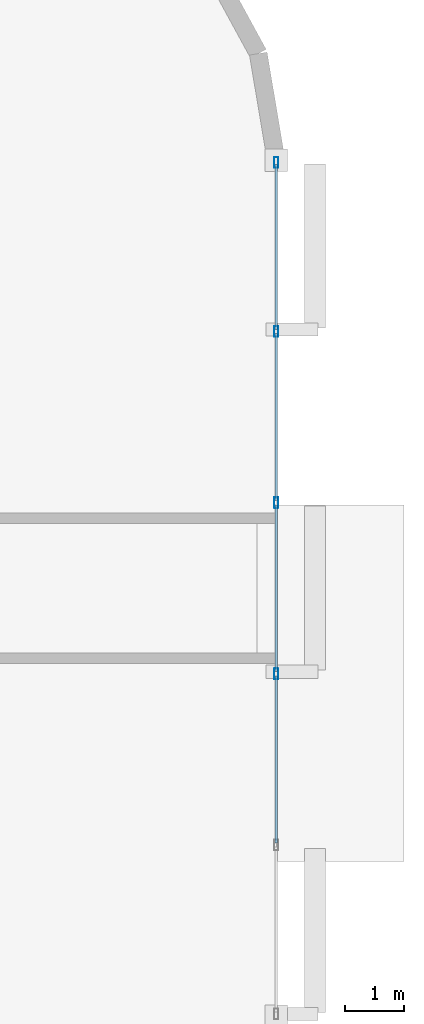
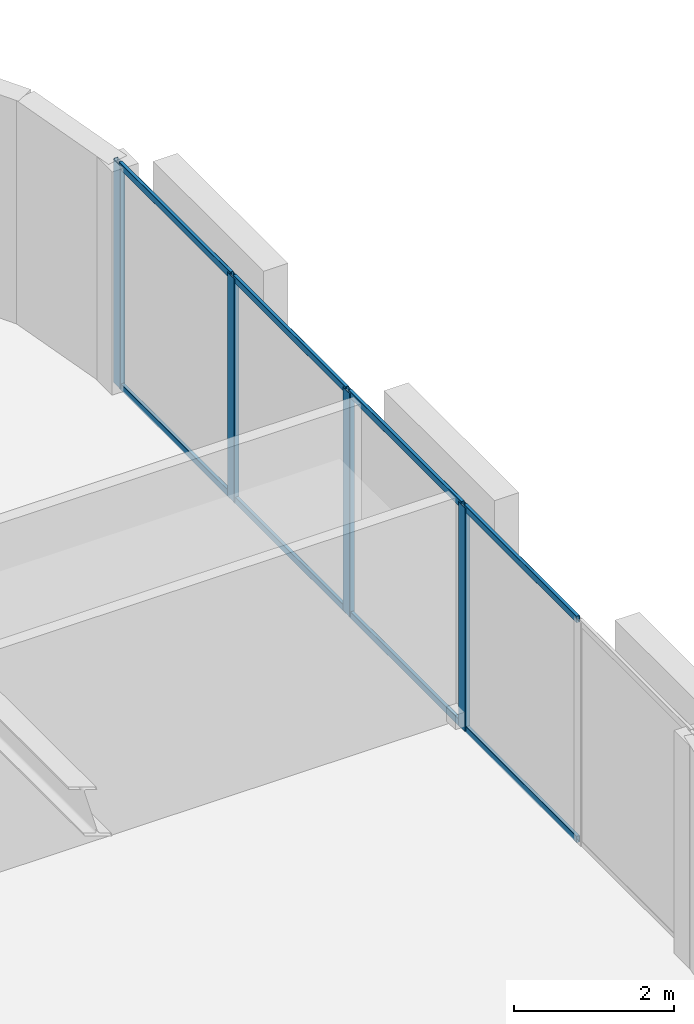
# One storey, part 6 of 15: 12 members, 1 element without a shape of its own.
"""IFC4 building model written with IfcOpenShell, lengths in metres."""

from ifc_helpers import new_model, si_unit, direction, frame, origin, origin_2d, place, context, subcontext, project, spatial, hollow_rectangle, extrude, material, layer, layer_set, material_profile, profile_set, type_object, element, aggregate, save


model = new_model("IFC4")

# Units and contexts
model_context = context("Model", 3, precision=1e-05, world=origin(), true_north=direction((0.0, 1.0)))
body_context = subcontext(model_context, "Body", "Model", "MODEL_VIEW")
ifc_project = project(units=[si_unit("LENGTHUNIT", "METRE"), si_unit("AREAUNIT", "SQUARE_METRE"), si_unit("VOLUMEUNIT", "CUBIC_METRE"), si_unit("PLANEANGLEUNIT", "RADIAN"), si_unit("MASSUNIT", "GRAM", prefix="KILO")], contexts=[model_context])

# Site, building, storey
site_placement = place(None, origin())
site = spatial("IfcSite", under=ifc_project, at=site_placement, CompositionType="ELEMENT")
building_placement = place(site_placement, origin())
building = spatial("IfcBuilding", under=site, at=building_placement, Name="An Khanh Terracotta Commons", CompositionType="ELEMENT")
storey_placement = place(building_placement, frame((0.0, 0.0, 176.199951171875)))
storey = spatial("IfcBuildingStorey", under=building, at=storey_placement, Name="L46", CompositionType="ELEMENT", Elevation=176.199951171875)

# Curtain wall, members
ifc_material = material(Name="Anodised Aluminium 6063-T6", Category="aluminium")
ifc_layer = layer(ifc_material, 0.2099609375, Name="Anodised Aluminium 6063-T6")
ifc_layer_set = layer_set([ifc_layer], Name="Anodised Aluminium 6063-T6")
curtain_wall_type = type_object("IfcCurtainWallType", Name="CW-SYS-03", PredefinedType="USERDEFINED", material=ifc_layer_set)
curtain_wall_placement = place(storey_placement, origin())
curtain_wall = element("IfcCurtainWall", 1, at=curtain_wall_placement, inside=storey, type_object=curtain_wall_type, Name="L46 CW-03 Unitised Curtain Wall CW-L46-12", ObjectType="UNITISED CURTAIN WALL", PredefinedType="USERDEFINED")
ifc_material_profile_1 = material_profile(ifc_material, hollow_rectangle(XDim=0.070068359375, YDim=0.179931640625, WallThickness=0.00390625, InnerFilletRadius=0.00390625, OuterFilletRadius=0.008056640625, at=origin_2d()), Name="RHS180x70x4")
ifc_profile_set_1 = profile_set([ifc_material_profile_1], Name="Anodised Aluminium 6063-T6")
member_type_1 = type_object("IfcMemberType", Name="CWM-RHS180x70x4", PredefinedType="MULLION", material=ifc_profile_set_1)
member_1_placement = place(storey_placement, frame((63.0, 22.56005859375, 0.0), z_axis=(0.0, 0.0, 1.0), x_axis=(-1.0, 0.0, 0.0)))
member_1 = element("IfcMember", 2, at=member_1_placement, type_object=member_type_1, Name="CW-03 mullion 3", PredefinedType="MULLION", context=body_context, shape_type="SweptSolid", body=[
    extrude(hollow_rectangle(XDim=0.070068359375, YDim=0.179931640625, WallThickness=0.00390625, InnerFilletRadius=0.00390625, OuterFilletRadius=0.008056640625, at=origin_2d()), origin(), (0.0, 0.0, 1.0), 3.400146484375),
])
member_2_placement = place(storey_placement, frame((63.0, 25.43994140625, 0.0), z_axis=(0.0, 0.0, 1.0), x_axis=(-1.0, 0.0, 0.0)))
member_2 = element("IfcMember", 3, at=member_2_placement, type_object=member_type_1, Name="CW-03 mullion 4", PredefinedType="MULLION", context=body_context, shape_type="SweptSolid", body=[
    extrude(hollow_rectangle(XDim=0.070068359375, YDim=0.179931640625, WallThickness=0.00390625, InnerFilletRadius=0.00390625, OuterFilletRadius=0.008056640625, at=origin_2d()), origin(), (0.0, 0.0, 1.0), 3.400146484375),
])
member_3_placement = place(storey_placement, frame((63.0, 28.320068359375, 0.0), z_axis=(0.0, 0.0, 1.0), x_axis=(-1.0, 0.0, 0.0)))
member_3 = element("IfcMember", 4, at=member_3_placement, type_object=member_type_1, Name="CW-03 mullion 5", PredefinedType="MULLION", context=body_context, shape_type="SweptSolid", body=[
    extrude(hollow_rectangle(XDim=0.070068359375, YDim=0.179931640625, WallThickness=0.00390625, InnerFilletRadius=0.00390625, OuterFilletRadius=0.008056640625, at=origin_2d()), origin(), (0.0, 0.0, 1.0), 3.400146484375),
])
member_4_placement = place(storey_placement, frame((63.0, 31.1650390625, 0.0), z_axis=(0.0, 0.0, 1.0), x_axis=(-1.0, 0.0, 0.0)))
member_4 = element("IfcMember", 5, at=member_4_placement, type_object=member_type_1, Name="CW-03 mullion 6", PredefinedType="MULLION", context=body_context, shape_type="SweptSolid", body=[
    extrude(hollow_rectangle(XDim=0.070068359375, YDim=0.179931640625, WallThickness=0.00390625, InnerFilletRadius=0.00390625, OuterFilletRadius=0.008056640625, at=origin_2d()), origin(), (0.0, 0.0, 1.0), 3.400146484375),
])
ifc_material_profile_2 = material_profile(ifc_material, hollow_rectangle(XDim=0.050048828125, YDim=0.10009765625, WallThickness=0.003173828125, InnerFilletRadius=0.003173828125, OuterFilletRadius=0.00634765625, at=origin_2d()), Name="RHS100x50x3.2")
ifc_profile_set_2 = profile_set([ifc_material_profile_2], Name="Anodised Aluminium 6063-T6")
member_type_2 = type_object("IfcMemberType", Name="CWT-RHS100x50x3.2", PredefinedType="USERDEFINED", material=ifc_profile_set_2)
member_5_placement = place(storey_placement, frame((63.0, 19.715087890625, 0.025146484375), z_axis=(0.0, 1.0, 0.0), x_axis=(-1.0, 0.0, 0.0)))
member_5 = element("IfcMember", 6, at=member_5_placement, type_object=member_type_2, Name="CW-03 transom 2.1", ObjectType="TRANSOM", PredefinedType="USERDEFINED", context=body_context, shape_type="SweptSolid", body=[
    extrude(hollow_rectangle(XDim=0.050048828125, YDim=0.10009765625, WallThickness=0.003173828125, InnerFilletRadius=0.003173828125, OuterFilletRadius=0.00634765625, at=origin_2d()), origin(), (0.0, 0.0, 1.0), 2.809814453125),
])
member_6_placement = place(storey_placement, frame((63.0, 19.715087890625, 3.375), z_axis=(0.0, 1.0, 0.0), x_axis=(-1.0, 0.0, 0.0)))
member_6 = element("IfcMember", 7, at=member_6_placement, type_object=member_type_2, Name="CW-03 transom 2.2", ObjectType="TRANSOM", PredefinedType="USERDEFINED", context=body_context, shape_type="SweptSolid", body=[
    extrude(hollow_rectangle(XDim=0.050048828125, YDim=0.10009765625, WallThickness=0.003173828125, InnerFilletRadius=0.003173828125, OuterFilletRadius=0.00634765625, at=origin_2d()), origin(), (0.0, 0.0, 1.0), 2.809814453125),
])
member_7_placement = place(storey_placement, frame((63.0, 22.594970703125, 0.025146484375), z_axis=(0.0, 1.0, 0.0), x_axis=(-1.0, 0.0, 0.0)))
member_7 = element("IfcMember", 8, at=member_7_placement, type_object=member_type_2, Name="CW-03 transom 3.1", ObjectType="TRANSOM", PredefinedType="USERDEFINED", context=body_context, shape_type="SweptSolid", body=[
    extrude(hollow_rectangle(XDim=0.050048828125, YDim=0.10009765625, WallThickness=0.003173828125, InnerFilletRadius=0.003173828125, OuterFilletRadius=0.00634765625, at=origin_2d()), origin(), (0.0, 0.0, 1.0), 2.81005859375),
])
member_8_placement = place(storey_placement, frame((63.0, 22.594970703125, 3.375), z_axis=(0.0, 1.0, 0.0), x_axis=(-1.0, 0.0, 0.0)))
member_8 = element("IfcMember", 9, at=member_8_placement, type_object=member_type_2, Name="CW-03 transom 3.2", ObjectType="TRANSOM", PredefinedType="USERDEFINED", context=body_context, shape_type="SweptSolid", body=[
    extrude(hollow_rectangle(XDim=0.050048828125, YDim=0.10009765625, WallThickness=0.003173828125, InnerFilletRadius=0.003173828125, OuterFilletRadius=0.00634765625, at=origin_2d()), origin(), (0.0, 0.0, 1.0), 2.81005859375),
])
member_9_placement = place(storey_placement, frame((63.0, 25.47509765625, 0.025146484375), z_axis=(0.0, 1.0, 0.0), x_axis=(-1.0, 0.0, 0.0)))
member_9 = element("IfcMember", 10, at=member_9_placement, type_object=member_type_2, Name="CW-03 transom 4.1", ObjectType="TRANSOM", PredefinedType="USERDEFINED", context=body_context, shape_type="SweptSolid", body=[
    extrude(hollow_rectangle(XDim=0.050048828125, YDim=0.10009765625, WallThickness=0.003173828125, InnerFilletRadius=0.003173828125, OuterFilletRadius=0.00634765625, at=origin_2d()), origin(), (0.0, 0.0, 1.0), 2.809814453125),
])
member_10_placement = place(storey_placement, frame((63.0, 25.47509765625, 3.375), z_axis=(0.0, 1.0, 0.0), x_axis=(-1.0, 0.0, 0.0)))
member_10 = element("IfcMember", 11, at=member_10_placement, type_object=member_type_2, Name="CW-03 transom 4.2", ObjectType="TRANSOM", PredefinedType="USERDEFINED", context=body_context, shape_type="SweptSolid", body=[
    extrude(hollow_rectangle(XDim=0.050048828125, YDim=0.10009765625, WallThickness=0.003173828125, InnerFilletRadius=0.003173828125, OuterFilletRadius=0.00634765625, at=origin_2d()), origin(), (0.0, 0.0, 1.0), 2.809814453125),
])
member_11_placement = place(storey_placement, frame((63.0, 28.35498046875, 0.025146484375), z_axis=(0.0, 1.0, 0.0), x_axis=(-1.0, 0.0, 0.0)))
member_11 = element("IfcMember", 12, at=member_11_placement, type_object=member_type_2, Name="CW-03 transom 5.1", ObjectType="TRANSOM", PredefinedType="USERDEFINED", context=body_context, shape_type="SweptSolid", body=[
    extrude(hollow_rectangle(XDim=0.050048828125, YDim=0.10009765625, WallThickness=0.003173828125, InnerFilletRadius=0.003173828125, OuterFilletRadius=0.00634765625, at=origin_2d()), origin(), (0.0, 0.0, 1.0), 2.77490234375),
])
member_12_placement = place(storey_placement, frame((63.0, 28.35498046875, 3.375), z_axis=(0.0, 1.0, 0.0), x_axis=(-1.0, 0.0, 0.0)))
member_12 = element("IfcMember", 13, at=member_12_placement, type_object=member_type_2, Name="CW-03 transom 5.2", ObjectType="TRANSOM", PredefinedType="USERDEFINED", context=body_context, shape_type="SweptSolid", body=[
    extrude(hollow_rectangle(XDim=0.050048828125, YDim=0.10009765625, WallThickness=0.003173828125, InnerFilletRadius=0.003173828125, OuterFilletRadius=0.00634765625, at=origin_2d()), origin(), (0.0, 0.0, 1.0), 2.77490234375),
])
aggregate(curtain_wall, [member_1, member_2, member_3, member_4, member_5, member_6, member_7, member_8, member_9, member_10, member_11, member_12])

save(model, "model.ifc")
